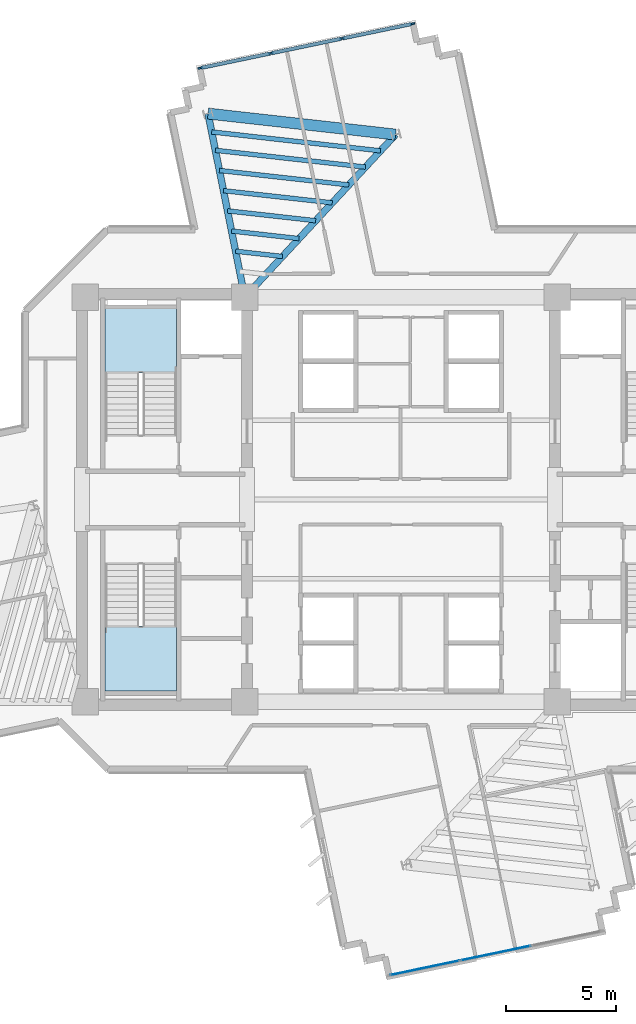
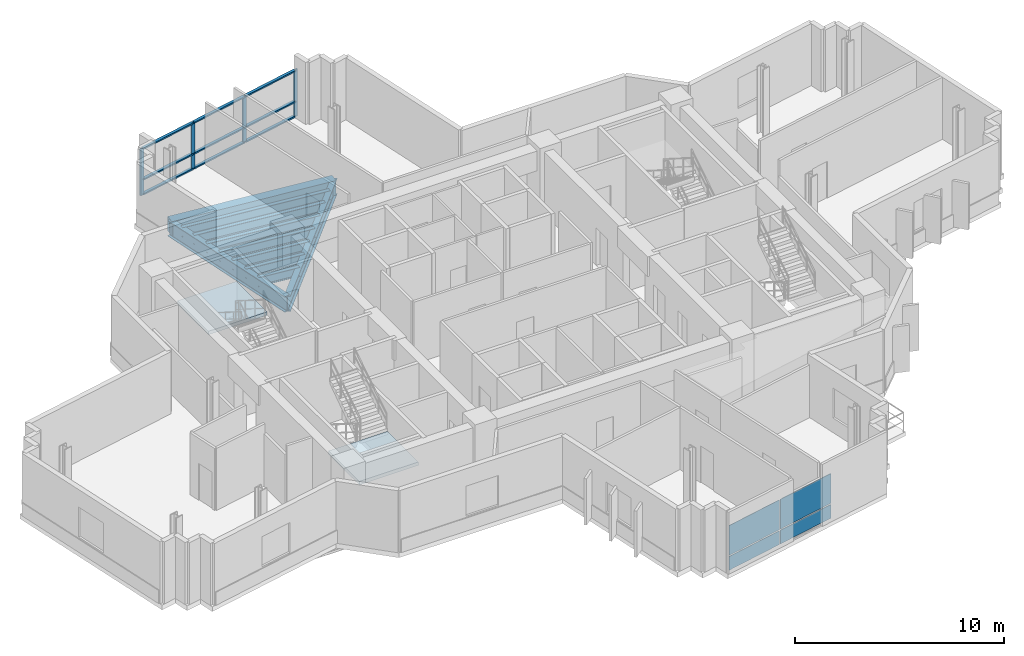
# One storey, part 5 of 14: 13 members, 10 beams, 4 plates, 2 slabs, 4 elements without a shape of their own.
"""IFC4 building model written with IfcOpenShell, lengths in metres."""

from ifc_helpers import new_model, si_unit, direction, frame, origin, origin_2d, place, context, subcontext, project, spatial, polyline, rectangle, i_section, outline, extrude, source, transform, mapped, material, layer, layer_set, material_profile, profile_set, type_object, element, aggregate, save


model = new_model("IFC4")

# Units and contexts
model_context = context("Model", 3, precision=1e-05, world=origin(), true_north=direction((0.0, 1.0)))
body_context = subcontext(model_context, "Body", "Model", "MODEL_VIEW")
ifc_project = project(units=[si_unit("LENGTHUNIT", "METRE"), si_unit("AREAUNIT", "SQUARE_METRE"), si_unit("VOLUMEUNIT", "CUBIC_METRE"), si_unit("PLANEANGLEUNIT", "RADIAN"), si_unit("MASSUNIT", "GRAM", prefix="KILO")], contexts=[model_context])

# Site, building, storey
site_placement = place(None, origin())
site = spatial("IfcSite", under=ifc_project, at=site_placement, CompositionType="ELEMENT")
building_placement = place(site_placement, origin())
building = spatial("IfcBuilding", under=site, at=building_placement, Name="Zahravan Cultural Tower", CompositionType="ELEMENT")
storey_placement = place(building_placement, frame((0.0, 0.0, 162.89990234375)))
storey = spatial("IfcBuildingStorey", under=building, at=storey_placement, Name="L37", CompositionType="ELEMENT", Elevation=162.89990234375)

# Beams
ifc_material_1 = material(Name="Steel ASTM A992 Grade 50", Category="steel")
ifc_material_profile_1 = material_profile(ifc_material_1, i_section(OverallWidth=0.304931640625, OverallDepth=0.9189453125, WebThickness=0.017333984375, FlangeThickness=0.02783203125, FilletRadius=0.02392578125, at=origin_2d()), Name="W36X170")
ifc_profile_set_1 = profile_set([ifc_material_profile_1], Name="Steel ASTM A992 Grade 50")
beam_type_1 = type_object("IfcBeamType", Name="BM-G-W36X170", PredefinedType="BEAM", material=ifc_profile_set_1)
shared_shape_1 = source(origin(), body_context, "Body", "SweptSolid", [
    extrude(i_section(OverallWidth=0.304931640625, OverallDepth=0.9189453125, WebThickness=0.017333984375, FlangeThickness=0.02783203125, FilletRadius=0.02392578125, at=origin_2d()), origin(), (0.0, 0.0, 1.0), 10.077880859375),
])
beam_1_placement = place(storey_placement, frame((28.89990234375, 36.199951171875, -0.739501953125), z_axis=(0.680170435587, 0.733054007938, 0.0), x_axis=(-0.733054007938, 0.680170435587, 0.0)))
element("IfcBeam", 1, at=beam_1_placement, inside=storey, type_object=beam_type_1, Name="L37 Beam BG-L37-13", PredefinedType="BEAM", context=body_context, shape_type="MappedRepresentation", body=[
    mapped(shared_shape_1, transform((0.0, 0.0, 0.0), x_axis=(1.0, 0.0, 0.0), y_axis=(0.0, 1.0, 0.0), z_axis=(0.0, 0.0, 1.0), scale=1.0)),
])
shared_shape_2 = source(origin(), body_context, "Body", "SweptSolid", [
    extrude(i_section(OverallWidth=0.304931640625, OverallDepth=0.9189453125, WebThickness=0.017333984375, FlangeThickness=0.02783203125, FilletRadius=0.02392578125, at=origin_2d()), origin(), (0.0, 0.0, 1.0), 8.50732421875),
])
beam_2_placement = place(storey_placement, frame((28.89990234375, 36.199951171875, -0.739501953125), z_axis=(-0.196524514012, 0.980498911469, 0.0), x_axis=(-0.980498911469, -0.196524514012, 0.0)))
element("IfcBeam", 2, at=beam_2_placement, inside=storey, type_object=beam_type_1, Name="L37 Beam BG-L37-14", PredefinedType="BEAM", context=body_context, shape_type="MappedRepresentation", body=[
    mapped(shared_shape_2, transform((0.0, 0.0, 0.0), x_axis=(1.0, 0.0, 0.0), y_axis=(0.0, 1.0, 0.0), z_axis=(0.0, 0.0, 1.0), scale=1.0)),
])
ifc_material_2 = material(Name="Concrete C50/60", Category="concrete")
ifc_material_profile_2 = material_profile(ifc_material_2, rectangle(XDim=0.5, YDim=0.85009765625, at=origin_2d()), Name="RC500X850")
ifc_profile_set_2 = profile_set([ifc_material_profile_2], Name="Concrete C50/60")
beam_type_2 = type_object("IfcBeamType", Name="BM-SP-RC500X850", PredefinedType="SPANDREL", material=ifc_profile_set_2)
shared_shape_3 = source(origin(), body_context, "Body", "SweptSolid", [
    extrude(rectangle(XDim=0.5, YDim=0.85009765625, at=origin_2d()), origin(), (0.0, 0.0, 1.0), 8.579833984375),
])
beam_3_placement = place(storey_placement, frame((35.754638671875, 43.587646484375, -0.704833984375), z_axis=(-0.9938040105, 0.11114669907, 0.0), x_axis=(-0.11114669907, -0.9938040105, 0.0)))
element("IfcBeam", 3, at=beam_3_placement, inside=storey, type_object=beam_type_2, Name="L37 Beam SP-L37-22", PredefinedType="SPANDREL", context=body_context, shape_type="MappedRepresentation", body=[
    mapped(shared_shape_3, transform((0.0, 0.0, 0.0), x_axis=(1.0, 0.0, 0.0), y_axis=(0.0, 1.0, 0.0), z_axis=(0.0, 0.0, 1.0), scale=1.0)),
])
ifc_material_profile_3 = material_profile(ifc_material_1, i_section(OverallWidth=0.2099609375, OverallDepth=0.532958984375, WebThickness=0.01025390625, FlangeThickness=0.015625, FilletRadius=0.013916015625, at=origin_2d()), Name="W21X62")
ifc_profile_set_3 = profile_set([ifc_material_profile_3], Name="Steel ASTM A992 Grade 50")
beam_type_3 = type_object("IfcBeamType", Name="BM-J-W21X62", PredefinedType="JOIST", material=ifc_profile_set_3)
shared_shape_4 = source(origin(), body_context, "Body", "SweptSolid", [
    extrude(i_section(OverallWidth=0.2099609375, OverallDepth=0.532958984375, WebThickness=0.01025390625, FlangeThickness=0.015625, FilletRadius=0.013916015625, at=origin_2d()), origin(), (0.0, 0.0, 1.0), 2.144775390625),
])
beam_4_placement = place(storey_placement, frame((30.613525390625, 38.046875, -0.54638671875), z_axis=(-0.993797370806, 0.111206051, 0.0), x_axis=(-0.111206051, -0.993797370806, 0.0)))
element("IfcBeam", 4, at=beam_4_placement, inside=storey, type_object=beam_type_3, Name="L37 Beam BJ-L37-51", PredefinedType="JOIST", context=body_context, shape_type="MappedRepresentation", body=[
    mapped(shared_shape_4, transform((0.0, 0.0, 0.0), x_axis=(1.0, 0.0, 0.0), y_axis=(0.0, 1.0, 0.0), z_axis=(0.0, 0.0, 1.0), scale=1.0)),
])
shared_shape_5 = source(origin(), body_context, "Body", "SweptSolid", [
    extrude(i_section(OverallWidth=0.2099609375, OverallDepth=0.532958984375, WebThickness=0.01025390625, FlangeThickness=0.015625, FilletRadius=0.013916015625, at=origin_2d()), origin(), (0.0, 0.0, 1.0), 3.088623046875),
])
beam_5_placement = place(storey_placement, frame((31.36767578125, 38.859619140625, -0.54638671875), z_axis=(-0.993805407368, 0.111134208443, 0.0), x_axis=(-0.111134208443, -0.993805407368, 0.0)))
element("IfcBeam", 5, at=beam_5_placement, inside=storey, type_object=beam_type_3, Name="L37 Beam BJ-L37-52", PredefinedType="JOIST", context=body_context, shape_type="MappedRepresentation", body=[
    mapped(shared_shape_5, transform((0.0, 0.0, 0.0), x_axis=(1.0, 0.0, 0.0), y_axis=(0.0, 1.0, 0.0), z_axis=(0.0, 0.0, 1.0), scale=1.0)),
])
shared_shape_6 = source(origin(), body_context, "Body", "SweptSolid", [
    extrude(i_section(OverallWidth=0.2099609375, OverallDepth=0.532958984375, WebThickness=0.01025390625, FlangeThickness=0.015625, FilletRadius=0.013916015625, at=origin_2d()), origin(), (0.0, 0.0, 1.0), 4.0322265625),
])
beam_6_placement = place(storey_placement, frame((32.12158203125, 39.672119140625, -0.54638671875), z_axis=(-0.993802245601, 0.11116247855, 0.0), x_axis=(-0.11116247855, -0.993802245601, 0.0)))
element("IfcBeam", 6, at=beam_6_placement, inside=storey, type_object=beam_type_3, Name="L37 Beam BJ-L37-53", PredefinedType="JOIST", context=body_context, shape_type="MappedRepresentation", body=[
    mapped(shared_shape_6, transform((0.0, 0.0, 0.0), x_axis=(1.0, 0.0, 0.0), y_axis=(0.0, 1.0, 0.0), z_axis=(0.0, 0.0, 1.0), scale=1.0)),
])
shared_shape_7 = source(origin(), body_context, "Body", "SweptSolid", [
    extrude(i_section(OverallWidth=0.2099609375, OverallDepth=0.532958984375, WebThickness=0.01025390625, FlangeThickness=0.015625, FilletRadius=0.013916015625, at=origin_2d()), origin(), (0.0, 0.0, 1.0), 4.97607421875),
])
beam_7_placement = place(storey_placement, frame((32.875732421875, 40.48486328125, -0.54638671875), z_axis=(-0.993806308517, 0.111126149723, 0.0), x_axis=(-0.111126149723, -0.993806308517, 0.0)))
element("IfcBeam", 7, at=beam_7_placement, inside=storey, type_object=beam_type_3, Name="L37 Beam BJ-L37-54", PredefinedType="JOIST", context=body_context, shape_type="MappedRepresentation", body=[
    mapped(shared_shape_7, transform((0.0, 0.0, 0.0), x_axis=(1.0, 0.0, 0.0), y_axis=(0.0, 1.0, 0.0), z_axis=(0.0, 0.0, 1.0), scale=1.0)),
])
shared_shape_8 = source(origin(), body_context, "Body", "SweptSolid", [
    extrude(i_section(OverallWidth=0.2099609375, OverallDepth=0.532958984375, WebThickness=0.01025390625, FlangeThickness=0.015625, FilletRadius=0.013916015625, at=origin_2d()), origin(), (0.0, 0.0, 1.0), 5.919921875),
])
beam_8_placement = place(storey_placement, frame((33.629638671875, 41.29736328125, -0.54638671875), z_axis=(-0.993804520866, 0.111142135602, 0.0), x_axis=(-0.111142135602, -0.993804520866, 0.0)))
element("IfcBeam", 8, at=beam_8_placement, inside=storey, type_object=beam_type_3, Name="L37 Beam BJ-L37-55", PredefinedType="JOIST", context=body_context, shape_type="MappedRepresentation", body=[
    mapped(shared_shape_8, transform((0.0, 0.0, 0.0), x_axis=(1.0, 0.0, 0.0), y_axis=(0.0, 1.0, 0.0), z_axis=(0.0, 0.0, 1.0), scale=1.0)),
])
shared_shape_9 = source(origin(), body_context, "Body", "SweptSolid", [
    extrude(i_section(OverallWidth=0.2099609375, OverallDepth=0.532958984375, WebThickness=0.01025390625, FlangeThickness=0.015625, FilletRadius=0.013916015625, at=origin_2d()), origin(), (0.0, 0.0, 1.0), 6.86376953125),
])
beam_9_placement = place(storey_placement, frame((34.3837890625, 42.110107421875, -0.54638671875), z_axis=(-0.993803224695, 0.111153725024, 0.0), x_axis=(-0.111153725024, -0.993803224695, 0.0)))
element("IfcBeam", 9, at=beam_9_placement, inside=storey, type_object=beam_type_3, Name="L37 Beam BJ-L37-56", PredefinedType="JOIST", context=body_context, shape_type="MappedRepresentation", body=[
    mapped(shared_shape_9, transform((0.0, 0.0, 0.0), x_axis=(1.0, 0.0, 0.0), y_axis=(0.0, 1.0, 0.0), z_axis=(0.0, 0.0, 1.0), scale=1.0)),
])
shared_shape_10 = source(origin(), body_context, "Body", "SweptSolid", [
    extrude(i_section(OverallWidth=0.2099609375, OverallDepth=0.532958984375, WebThickness=0.01025390625, FlangeThickness=0.015625, FilletRadius=0.013916015625, at=origin_2d()), origin(), (0.0, 0.0, 1.0), 7.7216796875),
])
beam_10_placement = place(storey_placement, frame((35.069091796875, 42.848876953125, -0.54638671875), z_axis=(-0.993805212115, 0.11113595446, 0.0), x_axis=(-0.11113595446, -0.993805212115, 0.0)))
element("IfcBeam", 10, at=beam_10_placement, inside=storey, type_object=beam_type_3, Name="L37 Beam BJ-L37-57", PredefinedType="JOIST", context=body_context, shape_type="MappedRepresentation", body=[
    mapped(shared_shape_10, transform((0.0, 0.0, 0.0), x_axis=(1.0, 0.0, 0.0), y_axis=(0.0, 1.0, 0.0), z_axis=(0.0, 0.0, 1.0), scale=1.0)),
])

# Curtain wall, members
ifc_material_3 = material(Name="Anodised bronze-aluminium mullion", Category="aluminium")
ifc_layer_1 = layer(ifc_material_3, 0.219970703125)
ifc_layer_set_1 = layer_set([ifc_layer_1], Name="Anodised bronze-aluminium mullion")
curtain_wall_type_1 = type_object("IfcCurtainWallType", Name="CW-SYS-1", PredefinedType="USERDEFINED", material=ifc_layer_set_1)
curtain_wall_1_placement = place(storey_placement, origin())
curtain_wall_1 = element("IfcCurtainWall", 11, at=curtain_wall_1_placement, inside=storey, type_object=curtain_wall_type_1, Name="L37 Recessed Curtain Wall CW-1.2", ObjectType="RECESSED GLAZING", PredefinedType="USERDEFINED")
ifc_material_profile_4 = material_profile(ifc_material_3, rectangle(XDim=0.159912109375, YDim=0.080078125, at=origin_2d()), Name="AL-T80X160")
ifc_profile_set_4 = profile_set([ifc_material_profile_4], Name="Anodised bronze-aluminium mullion")
member_type_1 = type_object("IfcMemberType", Name="CWT-CW-1", PredefinedType="USERDEFINED", material=ifc_profile_set_4)
shared_shape_11 = source(origin(), body_context, "Body", "SweptSolid", [
    extrude(rectangle(XDim=0.159912109375, YDim=0.080078125, at=origin_2d()), origin(), (0.0, 0.0, 1.0), 3.186767578125),
])
member_1_placement = place(storey_placement, frame((26.923095703125, 46.6201171875, 0.0400390625), z_axis=(0.978935780904, 0.204168403202, 0.0), x_axis=(-0.204168403202, 0.978935780904, 0.0)))
member_1 = element("IfcMember", 12, at=member_1_placement, type_object=member_type_1, Name="CW-1 transom 1.1", ObjectType="TRANSOM", PredefinedType="USERDEFINED", context=body_context, shape_type="MappedRepresentation", body=[
    mapped(shared_shape_11, transform((0.0, 0.0, 0.0), x_axis=(1.0, 0.0, 0.0), y_axis=(0.0, 1.0, 0.0), z_axis=(0.0, 0.0, 1.0), scale=1.0)),
])
member_2_placement = place(storey_placement, frame((26.923095703125, 46.6201171875, 0.900146484375), z_axis=(0.978935780904, 0.204168403202, 0.0), x_axis=(-0.204168403202, 0.978935780904, 0.0)))
member_2 = element("IfcMember", 13, at=member_2_placement, type_object=member_type_1, Name="CW-1 transom 1.2", ObjectType="TRANSOM", PredefinedType="USERDEFINED", context=body_context, shape_type="MappedRepresentation", body=[
    mapped(shared_shape_11, transform((0.0, 0.0, 0.0), x_axis=(1.0, 0.0, 0.0), y_axis=(0.0, 1.0, 0.0), z_axis=(0.0, 0.0, 1.0), scale=1.0)),
])
member_3_placement = place(storey_placement, frame((26.923095703125, 46.6201171875, 2.7001953125), z_axis=(0.978935780904, 0.204168403202, 0.0), x_axis=(-0.204168403202, 0.978935780904, 0.0)))
member_3 = element("IfcMember", 14, at=member_3_placement, type_object=member_type_1, Name="CW-1 transom 1.3", ObjectType="TRANSOM", PredefinedType="USERDEFINED", context=body_context, shape_type="MappedRepresentation", body=[
    mapped(shared_shape_11, transform((0.0, 0.0, 0.0), x_axis=(1.0, 0.0, 0.0), y_axis=(0.0, 1.0, 0.0), z_axis=(0.0, 0.0, 1.0), scale=1.0)),
])
member_4_placement = place(storey_placement, frame((33.358154296875, 47.962158203125, 0.0400390625), z_axis=(0.978935780904, 0.204168403202, 0.0), x_axis=(-0.204168403202, 0.978935780904, 0.0)))
member_4 = element("IfcMember", 15, at=member_4_placement, type_object=member_type_1, Name="CW-1 transom 3.1", ObjectType="TRANSOM", PredefinedType="USERDEFINED", context=body_context, shape_type="MappedRepresentation", body=[
    mapped(shared_shape_11, transform((0.0, 0.0, 0.0), x_axis=(1.0, 0.0, 0.0), y_axis=(0.0, 1.0, 0.0), z_axis=(0.0, 0.0, 1.0), scale=1.0)),
])
member_5_placement = place(storey_placement, frame((33.358154296875, 47.962158203125, 0.900146484375), z_axis=(0.978935780904, 0.204168403202, 0.0), x_axis=(-0.204168403202, 0.978935780904, 0.0)))
member_5 = element("IfcMember", 16, at=member_5_placement, type_object=member_type_1, Name="CW-1 transom 3.2", ObjectType="TRANSOM", PredefinedType="USERDEFINED", context=body_context, shape_type="MappedRepresentation", body=[
    mapped(shared_shape_11, transform((0.0, 0.0, 0.0), x_axis=(1.0, 0.0, 0.0), y_axis=(0.0, 1.0, 0.0), z_axis=(0.0, 0.0, 1.0), scale=1.0)),
])
member_6_placement = place(storey_placement, frame((33.358154296875, 47.962158203125, 2.7001953125), z_axis=(0.978935780904, 0.204168403202, 0.0), x_axis=(-0.204168403202, 0.978935780904, 0.0)))
member_6 = element("IfcMember", 17, at=member_6_placement, type_object=member_type_1, Name="CW-1 transom 3.3", ObjectType="TRANSOM", PredefinedType="USERDEFINED", context=body_context, shape_type="MappedRepresentation", body=[
    mapped(shared_shape_11, transform((0.0, 0.0, 0.0), x_axis=(1.0, 0.0, 0.0), y_axis=(0.0, 1.0, 0.0), z_axis=(0.0, 0.0, 1.0), scale=1.0)),
])
ifc_material_profile_5 = material_profile(ifc_material_3, rectangle(XDim=0.080078125, YDim=0.219970703125, at=origin_2d()), Name="AL-M80X220")
ifc_profile_set_5 = profile_set([ifc_material_profile_5], Name="Anodised bronze-aluminium mullion")
member_type_2 = type_object("IfcMemberType", Name="CWM-CW-1", PredefinedType="MULLION", material=ifc_profile_set_5)
shared_shape_12 = source(origin(), body_context, "Body", "SweptSolid", [
    extrude(rectangle(XDim=0.080078125, YDim=0.219970703125, at=origin_2d()), origin(), (0.0, 0.0, 1.0), 2.739990234375),
])
member_7_placement = place(storey_placement, frame((26.884033203125, 46.612060546875, 0.0), z_axis=(0.0, 0.0, 1.0), x_axis=(-0.204162369415, 0.978937039301, 0.0)))
member_7 = element("IfcMember", 18, at=member_7_placement, type_object=member_type_2, Name="CW-1 mullion 1", PredefinedType="MULLION", context=body_context, shape_type="MappedRepresentation", body=[
    mapped(shared_shape_12, transform((0.0, 0.0, 0.0), x_axis=(1.0, 0.0, 0.0), y_axis=(0.0, 1.0, 0.0), z_axis=(0.0, 0.0, 1.0), scale=1.0)),
])
member_8_placement = place(storey_placement, frame((30.08203125, 47.27880859375, 0.0), z_axis=(0.0, 0.0, 1.0), x_axis=(-0.204162369415, 0.978937039301, 0.0)))
member_8 = element("IfcMember", 19, at=member_8_placement, type_object=member_type_2, Name="CW-1 mullion 2", PredefinedType="MULLION", context=body_context, shape_type="MappedRepresentation", body=[
    mapped(shared_shape_12, transform((0.0, 0.0, 0.0), x_axis=(1.0, 0.0, 0.0), y_axis=(0.0, 1.0, 0.0), z_axis=(0.0, 0.0, 1.0), scale=1.0)),
])
member_9_placement = place(storey_placement, frame((33.31884765625, 47.9541015625, 0.0), z_axis=(0.0, 0.0, 1.0), x_axis=(-0.204162369415, 0.978937039301, 0.0)))
member_9 = element("IfcMember", 20, at=member_9_placement, type_object=member_type_2, Name="CW-1 mullion 3", PredefinedType="MULLION", context=body_context, shape_type="MappedRepresentation", body=[
    mapped(shared_shape_12, transform((0.0, 0.0, 0.0), x_axis=(1.0, 0.0, 0.0), y_axis=(0.0, 1.0, 0.0), z_axis=(0.0, 0.0, 1.0), scale=1.0)),
])
member_10_placement = place(storey_placement, frame((36.516845703125, 48.620849609375, 0.0), z_axis=(0.0, 0.0, 1.0), x_axis=(-0.204162369415, 0.978937039301, 0.0)))
member_10 = element("IfcMember", 21, at=member_10_placement, type_object=member_type_2, Name="CW-1 mullion 4", PredefinedType="MULLION", context=body_context, shape_type="MappedRepresentation", body=[
    mapped(shared_shape_12, transform((0.0, 0.0, 0.0), x_axis=(1.0, 0.0, 0.0), y_axis=(0.0, 1.0, 0.0), z_axis=(0.0, 0.0, 1.0), scale=1.0)),
])
shared_shape_13 = source(origin(), body_context, "Body", "SweptSolid", [
    extrude(rectangle(XDim=0.159912109375, YDim=0.080078125, at=origin_2d()), origin(), (0.0, 0.0, 1.0), 3.2265625),
])
member_11_placement = place(storey_placement, frame((30.12109375, 47.287109375, 0.0400390625), z_axis=(0.978941373772, 0.204141584977, 0.0), x_axis=(-0.204141584977, 0.978941373772, 0.0)))
member_11 = element("IfcMember", 22, at=member_11_placement, type_object=member_type_1, Name="CW-1 transom 2.1", ObjectType="TRANSOM", PredefinedType="USERDEFINED", context=body_context, shape_type="MappedRepresentation", body=[
    mapped(shared_shape_13, transform((0.0, 0.0, 0.0), x_axis=(1.0, 0.0, 0.0), y_axis=(0.0, 1.0, 0.0), z_axis=(0.0, 0.0, 1.0), scale=1.0)),
])
member_12_placement = place(storey_placement, frame((30.12109375, 47.287109375, 0.900146484375), z_axis=(0.978941373772, 0.204141584977, 0.0), x_axis=(-0.204141584977, 0.978941373772, 0.0)))
member_12 = element("IfcMember", 23, at=member_12_placement, type_object=member_type_1, Name="CW-1 transom 2.2", ObjectType="TRANSOM", PredefinedType="USERDEFINED", context=body_context, shape_type="MappedRepresentation", body=[
    mapped(shared_shape_13, transform((0.0, 0.0, 0.0), x_axis=(1.0, 0.0, 0.0), y_axis=(0.0, 1.0, 0.0), z_axis=(0.0, 0.0, 1.0), scale=1.0)),
])
member_13_placement = place(storey_placement, frame((30.12109375, 47.287109375, 2.7001953125), z_axis=(0.978941373772, 0.204141584977, 0.0), x_axis=(-0.204141584977, 0.978941373772, 0.0)))
member_13 = element("IfcMember", 24, at=member_13_placement, type_object=member_type_1, Name="CW-1 transom 2.3", ObjectType="TRANSOM", PredefinedType="USERDEFINED", context=body_context, shape_type="MappedRepresentation", body=[
    mapped(shared_shape_13, transform((0.0, 0.0, 0.0), x_axis=(1.0, 0.0, 0.0), y_axis=(0.0, 1.0, 0.0), z_axis=(0.0, 0.0, 1.0), scale=1.0)),
])
aggregate(curtain_wall_1, [member_7, member_8, member_9, member_10, member_1, member_2, member_3, member_11, member_12, member_13, member_4, member_5, member_6])

# Stair, slab
ifc_material_4 = material(Name="Concrete C45/55", Category="concrete")
stair_type = type_object("IfcStairType", Name="STR-DL-1550-390", PredefinedType="HALF_TURN_STAIR", material=ifc_material_4)
stair_1_placement = place(storey_placement, origin())
stair_1 = element("IfcStair", 25, at=stair_1_placement, inside=storey, type_object=stair_type, Name="L37 West Core North Exit Stair ST-W1", PredefinedType="HALF_TURN_STAIR")
ifc_layer_2 = layer(ifc_material_4, 0.199951171875)
ifc_layer_set_2 = layer_set([ifc_layer_2], Name="Concrete C45/55")
slab_type = type_object("IfcSlabType", Name="SL-STAIR-LND200", PredefinedType="LANDING", material=ifc_layer_set_2)
slab_1_placement = place(storey_placement, frame((0.0, 0.0, 1.75)))
slab_1 = element("IfcSlab", 26, at=slab_1_placement, type_object=slab_type, Name="ST-W1 landing 1", PredefinedType="LANDING", context=body_context, shape_type="SweptSolid", body=[
    extrude(outline(polyline([(25.800048828125, 32.75), (25.800048828125, 35.699951171875), (22.550048828125, 35.699951171875), (22.550048828125, 32.75), (25.800048828125, 32.75)])), origin(), (0.0, 0.0, 1.0), 0.2001953125),
])
aggregate(stair_1, [slab_1])

stair_2_placement = place(storey_placement, origin())
stair_2 = element("IfcStair", 27, at=stair_2_placement, inside=storey, type_object=stair_type, Name="L37 West Core South Exit Stair ST-W2", PredefinedType="HALF_TURN_STAIR")
slab_2_placement = place(storey_placement, frame((0.0, 0.0, 1.75)))
slab_2 = element("IfcSlab", 28, at=slab_2_placement, type_object=slab_type, Name="ST-W2 landing 1", PredefinedType="LANDING", context=body_context, shape_type="SweptSolid", body=[
    extrude(outline(polyline([(22.550048828125, 21.25), (22.550048828125, 18.300048828125), (25.800048828125, 18.300048828125), (25.800048828125, 21.25), (22.550048828125, 21.25)])), origin(), (0.0, 0.0, 1.0), 0.2001953125),
])
aggregate(stair_2, [slab_2])

# Curtain wall, plates
ifc_layer_3 = layer(ifc_material_3, 0.1650390625)
ifc_layer_set_3 = layer_set([ifc_layer_3], Name="Anodised bronze-aluminium mullion")
curtain_wall_type_2 = type_object("IfcCurtainWallType", Name="CW-SYS-4", PredefinedType="USERDEFINED", material=ifc_layer_set_3)
curtain_wall_2_placement = place(storey_placement, origin())
curtain_wall_2 = element("IfcCurtainWall", 29, at=curtain_wall_2_placement, inside=storey, type_object=curtain_wall_type_2, Name="L37 Recessed Curtain Wall CW-4.1", ObjectType="RECESSED GLAZING", PredefinedType="USERDEFINED")
ifc_material_5 = material(Name="Low-E solar-control double glazing", Category="glass")
ifc_layer_4 = layer(ifc_material_5, 0.02587890625)
ifc_layer_set_4 = layer_set([ifc_layer_4], Name="Low-E solar-control double glazing")
plate_type = type_object("IfcPlateType", Name="CWP-CW-4", PredefinedType="CURTAIN_PANEL", material=ifc_layer_set_4)
shared_shape_14 = source(origin(), body_context, "Body", "SweptSolid", [
    extrude(rectangle(XDim=3.209228515625, YDim=0.02587890625, at=origin_2d()), origin(), (0.0, 0.0, 1.0), 0.802490234375),
])
plate_1_placement = place(storey_placement, frame((37.078369140625, 5.711669921875, 0.06494140625), z_axis=(0.0, 0.0, 1.0), x_axis=(-0.978937039301, -0.204162369415, 0.0)))
plate_1 = element("IfcPlate", 30, at=plate_1_placement, type_object=plate_type, Name="CW-4 panel 3.1", PredefinedType="CURTAIN_PANEL", context=body_context, shape_type="MappedRepresentation", body=[
    mapped(shared_shape_14, transform((0.0, 0.0, 0.0), x_axis=(1.0, 0.0, 0.0), y_axis=(0.0, 1.0, 0.0), z_axis=(0.0, 0.0, 1.0), scale=1.0)),
])
shared_shape_15 = source(origin(), body_context, "Body", "SweptSolid", [
    extrude(rectangle(XDim=3.209228515625, YDim=0.02587890625, at=origin_2d()), origin(), (0.0, 0.0, 1.0), 1.742431640625),
])
plate_2_placement = place(storey_placement, frame((37.078369140625, 5.711669921875, 0.9326171875), z_axis=(0.0, 0.0, 1.0), x_axis=(-0.978937039301, -0.204162369415, 0.0)))
plate_2 = element("IfcPlate", 31, at=plate_2_placement, type_object=plate_type, Name="CW-4 panel 3.2", PredefinedType="CURTAIN_PANEL", context=body_context, shape_type="MappedRepresentation", body=[
    mapped(shared_shape_15, transform((0.0, 0.0, 0.0), x_axis=(1.0, 0.0, 0.0), y_axis=(0.0, 1.0, 0.0), z_axis=(0.0, 0.0, 1.0), scale=1.0)),
])
shared_shape_16 = source(origin(), body_context, "Body", "SweptSolid", [
    extrude(rectangle(XDim=3.24169921875, YDim=0.02587890625, at=origin_2d()), origin(), (0.0, 0.0, 1.0), 0.802490234375),
])
plate_3_placement = place(storey_placement, frame((40.299560546875, 6.383544921875, 0.06494140625), z_axis=(0.0, 0.0, 1.0), x_axis=(-0.978937039301, -0.204162369415, 0.0)))
plate_3 = element("IfcPlate", 32, at=plate_3_placement, type_object=plate_type, Name="CW-4 panel 2.1", PredefinedType="CURTAIN_PANEL", context=body_context, shape_type="MappedRepresentation", body=[
    mapped(shared_shape_16, transform((0.0, 0.0, 0.0), x_axis=(1.0, 0.0, 0.0), y_axis=(0.0, 1.0, 0.0), z_axis=(0.0, 0.0, 1.0), scale=1.0)),
])
shared_shape_17 = source(origin(), body_context, "Body", "SweptSolid", [
    extrude(rectangle(XDim=3.24169921875, YDim=0.02587890625, at=origin_2d()), origin(), (0.0, 0.0, 1.0), 1.742431640625),
])
plate_4_placement = place(storey_placement, frame((40.299560546875, 6.383544921875, 0.9326171875), z_axis=(0.0, 0.0, 1.0), x_axis=(-0.978937039301, -0.204162369415, 0.0)))
plate_4 = element("IfcPlate", 33, at=plate_4_placement, type_object=plate_type, Name="CW-4 panel 2.2", PredefinedType="CURTAIN_PANEL", context=body_context, shape_type="MappedRepresentation", body=[
    mapped(shared_shape_17, transform((0.0, 0.0, 0.0), x_axis=(1.0, 0.0, 0.0), y_axis=(0.0, 1.0, 0.0), z_axis=(0.0, 0.0, 1.0), scale=1.0)),
])
aggregate(curtain_wall_2, [plate_3, plate_4, plate_1, plate_2])

save(model, "model.ifc")
